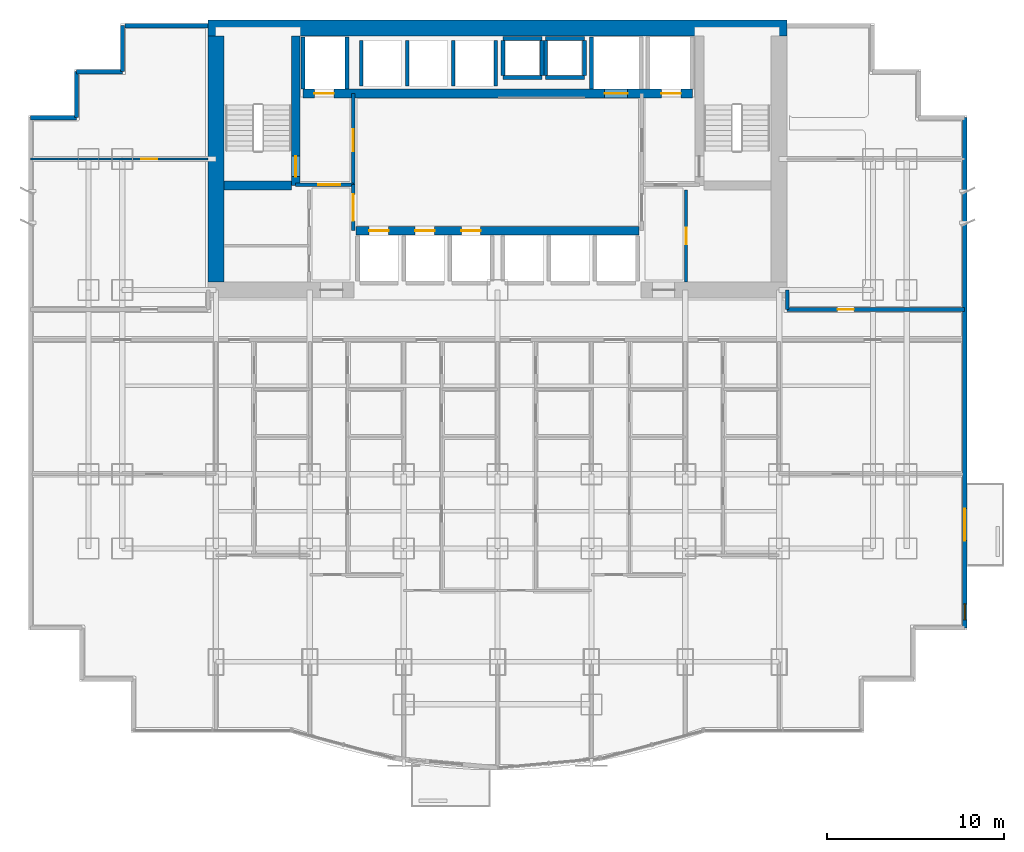
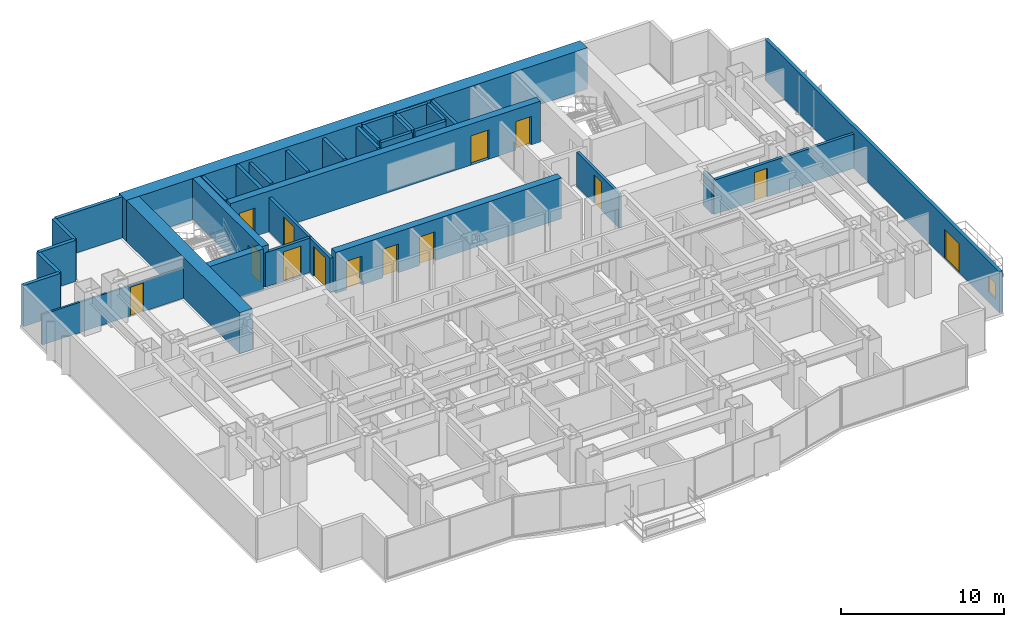
# One storey, part 7 of 10: 34 walls, 14 doors, 1 window, 15 openings.
"""IFC4 building model written with IfcOpenShell, lengths in metres."""

from ifc_helpers import new_model, si_unit, direction, frame, frame_2d, origin, place, context, subcontext, project, spatial, rectangle, extrude, material, layer, layer_set, type_object, element, fill, save


model = new_model("IFC4")

# Units and contexts
model_context = context("Model", 3, precision=1e-05, world=origin(), true_north=direction((0.0, 1.0)))
body_context = subcontext(model_context, "Body", "Model", "MODEL_VIEW")
ifc_project = project(units=[si_unit("LENGTHUNIT", "METRE"), si_unit("AREAUNIT", "SQUARE_METRE"), si_unit("VOLUMEUNIT", "CUBIC_METRE"), si_unit("PLANEANGLEUNIT", "RADIAN"), si_unit("MASSUNIT", "GRAM", prefix="KILO")], contexts=[model_context])

# Site, building, storey
site_placement = place(None, origin())
site = spatial("IfcSite", under=ifc_project, at=site_placement, CompositionType="ELEMENT")
building_placement = place(site_placement, origin())
building = spatial("IfcBuilding", under=site, at=building_placement, Name="Qianlan Lanfeng Residences", CompositionType="ELEMENT")
storey_placement = place(building_placement, frame((0.0, 0.0, 30.800048828125)))
storey = spatial("IfcBuildingStorey", under=building, at=storey_placement, Name="L07", CompositionType="ELEMENT", Elevation=30.800048828125)

# Wall, opening, door
ifc_material_1 = material(Name="Concrete C70", Category="concrete")
ifc_layer_1 = layer(ifc_material_1, 0.5)
ifc_layer_set_1 = layer_set([ifc_layer_1], Name="Concrete C70")
wall_type_1 = type_object("IfcWallType", Name="CW-RC-500", PredefinedType="SHEAR", material=ifc_layer_set_1)
wall_1_placement = place(storey_placement, frame((15.10009765625, 31.10009765625, 0.0), z_axis=(0.0, 0.0, 1.0), x_axis=(0.0, 1.0, 0.0)))
wall_1 = element("IfcWall", 1, at=wall_1_placement, inside=storey, type_object=wall_type_1, Name="L07 Core Shear Wall ST1E", PredefinedType="SHEAR", context=body_context, shape_type="SweptSolid", body=[
    extrude(rectangle(XDim=8.449951171875, YDim=0.5, at=frame_2d((4.22509765625, 0.0))), origin(), (0.0, 0.0, 1.0), 3.079833984375),
])
opening_1_placement = place(wall_1_placement, frame((0.510009765625, 0.0, 0.0)))
opening_1 = element("IfcOpeningElement", 2, at=opening_1_placement, cuts=wall_1, Name="Opening L07-D07", PredefinedType="OPENING", context=body_context, shape_type="SweptSolid", body=[
    extrude(rectangle(XDim=1.14990234375, YDim=2.199951171875, at=frame_2d((0.574951171875, 1.10009765625))), frame((0.0, 0.260009765625, 0.0), z_axis=(0.0, -1.0, 0.0), x_axis=(1.0, 0.0, 0.0)), (0.0, 0.0, 1.0), 0.52001953125),
])
ifc_material_2 = material(Name="Painted Galvanised Steel Fire Door", Category="steel")
door_type_1 = type_object("IfcDoorType", Name="DT-ST1", OperationType="NOTDEFINED", PredefinedType="DOOR", material=ifc_material_2)
door_1_placement = place(opening_1_placement, frame((1.14990234375, 0.0, 0.0), z_axis=(0.0, 0.0, 1.0), x_axis=(-1.0, 0.0, 0.0)))
door_1 = element("IfcDoor", 3, at=door_1_placement, inside=storey, type_object=door_type_1, Name="L07 Exit Stair ST-1 Door L07-D07 (DT-ST1)", OperationType="SINGLE_SWING_RIGHT", OverallHeight=2.199951171875, OverallWidth=1.14990234375, PredefinedType="DOOR", context=body_context, shape_type="SweptSolid", body=[
    extrude(rectangle(XDim=1.14990234375, YDim=2.199951171875, at=frame_2d((0.574951171875, 1.10009765625))), frame((0.0, 0.02490234375, 0.0), z_axis=(0.0, -1.0, 0.0), x_axis=(1.0, 0.0, 0.0)), (0.0, 0.0, 1.0), 0.050048828125),
])
fill(opening_1, door_1)

# Wall
wall_2_placement = place(storey_placement, frame((11.050048828125, 31.10009765625, 0.0), z_axis=(0.0, 0.0, 1.0), x_axis=(1.0, 0.0, 0.0)))
element("IfcWall", 4, at=wall_2_placement, inside=storey, type_object=wall_type_1, Name="L07 Core Shear Wall ST1S", PredefinedType="SHEAR", context=body_context, shape_type="SweptSolid", body=[
    extrude(rectangle(XDim=3.800048828125, YDim=0.5, at=frame_2d((1.89990234375, 0.0))), origin(), (0.0, 0.0, 1.0), 3.079833984375),
])

# Wall, openings, doors
wall_3_placement = place(storey_placement, frame((15.5, 36.300048828125, 0.0), z_axis=(0.0, 0.0, 1.0), x_axis=(1.0, 0.0, 0.0)))
wall_3 = element("IfcWall", 5, at=wall_3_placement, inside=storey, type_object=wall_type_1, Name="L07 Core Shear Wall LBN", PredefinedType="SHEAR", context=body_context, shape_type="SweptSolid", body=[
    extrude(rectangle(XDim=22.0, YDim=0.5, at=frame_2d((11.0, 0.0))), origin(), (0.0, 0.0, 1.0), 3.079833984375),
])
opening_2_placement = place(wall_3_placement, frame((0.64990234375, 0.0, 0.0)))
opening_2 = element("IfcOpeningElement", 6, at=opening_2_placement, cuts=wall_3, Name="Opening L07-LD-FFL-1", PredefinedType="OPENING", context=body_context, shape_type="SweptSolid", body=[
    extrude(rectangle(XDim=1.10009765625, YDim=2.14990234375, at=frame_2d((0.550048828125, 1.074951171875))), frame((0.0, 0.260009765625, 0.0), z_axis=(0.0, -1.0, 0.0), x_axis=(1.0, 0.0, 0.0)), (0.0, 0.0, 1.0), 0.52001953125),
])
opening_3_placement = place(wall_3_placement, frame((20.25, 0.0, 0.0)))
opening_3 = element("IfcOpeningElement", 7, at=opening_3_placement, cuts=wall_3, Name="Opening L07-LD-FFL-2", PredefinedType="OPENING", context=body_context, shape_type="SweptSolid", body=[
    extrude(rectangle(XDim=1.10009765625, YDim=2.14990234375, at=frame_2d((0.550048828125, 1.074951171875))), frame((0.0, 0.260009765625, 0.0), z_axis=(0.0, -1.0, 0.0), x_axis=(1.0, 0.0, 0.0)), (0.0, 0.0, 1.0), 0.52001953125),
])
opening_4_placement = place(wall_3_placement, frame((17.050048828125, 0.0, 0.0)))
opening_4 = element("IfcOpeningElement", 8, at=opening_4_placement, cuts=wall_3, Name="Opening L07-LD-SVL-1", PredefinedType="OPENING", context=body_context, shape_type="SweptSolid", body=[
    extrude(rectangle(XDim=1.300048828125, YDim=2.199951171875, at=frame_2d((0.64990234375, 1.10009765625))), frame((0.0, 0.260009765625, 0.0), z_axis=(0.0, -1.0, 0.0), x_axis=(1.0, 0.0, 0.0)), (0.0, 0.0, 1.0), 0.52001953125),
])
ifc_material_3 = material(Name="Brushed Stainless Steel Sliding Lift Door", Category="steel")
door_type_2 = type_object("IfcDoorType", Name="LD-01", OperationType="NOTDEFINED", PredefinedType="DOOR", material=ifc_material_3)
door_2_placement = place(opening_2_placement, frame((1.10009765625, 0.0, 0.0), z_axis=(0.0, 0.0, 1.0), x_axis=(-1.0, 0.0, 0.0)))
door_2 = element("IfcDoor", 9, at=door_2_placement, inside=storey, type_object=door_type_2, Name="L07 Elevator FFL-1 Sliding Landing Door", OperationType="DOUBLE_DOOR_SLIDING", OverallHeight=2.14990234375, OverallWidth=1.10009765625, PredefinedType="DOOR", context=body_context, shape_type="SweptSolid", body=[
    extrude(rectangle(XDim=1.10009765625, YDim=2.14990234375, at=frame_2d((0.550048828125, 1.074951171875))), frame((0.0, 0.02490234375, 0.0), z_axis=(0.0, -1.0, 0.0), x_axis=(1.0, 0.0, 0.0)), (0.0, 0.0, 1.0), 0.050048828125),
])
fill(opening_2, door_2)
door_3_placement = place(opening_3_placement, frame((1.10009765625, 0.0, 0.0), z_axis=(0.0, 0.0, 1.0), x_axis=(-1.0, 0.0, 0.0)))
door_3 = element("IfcDoor", 10, at=door_3_placement, inside=storey, type_object=door_type_2, Name="L07 Elevator FFL-2 Sliding Landing Door", OperationType="DOUBLE_DOOR_SLIDING", OverallHeight=2.14990234375, OverallWidth=1.10009765625, PredefinedType="DOOR", context=body_context, shape_type="SweptSolid", body=[
    extrude(rectangle(XDim=1.10009765625, YDim=2.14990234375, at=frame_2d((0.550048828125, 1.074951171875))), frame((0.0, 0.02490234375, 0.0), z_axis=(0.0, -1.0, 0.0), x_axis=(1.0, 0.0, 0.0)), (0.0, 0.0, 1.0), 0.050048828125),
])
fill(opening_3, door_3)
door_type_3 = type_object("IfcDoorType", Name="LD-02", OperationType="NOTDEFINED", PredefinedType="DOOR", material=ifc_material_3)
door_4_placement = place(opening_4_placement, frame((1.300048828125, 0.0, 0.0), z_axis=(0.0, 0.0, 1.0), x_axis=(-1.0, 0.0, 0.0)))
door_4 = element("IfcDoor", 11, at=door_4_placement, inside=storey, type_object=door_type_3, Name="L07 Elevator SVL-1 Sliding Landing Door", OperationType="DOUBLE_DOOR_SLIDING", OverallHeight=2.199951171875, OverallWidth=1.300048828125, PredefinedType="DOOR", context=body_context, shape_type="SweptSolid", body=[
    extrude(rectangle(XDim=1.300048828125, YDim=2.199951171875, at=frame_2d((0.64990234375, 1.10009765625))), frame((0.0, 0.02490234375, 0.0), z_axis=(0.0, -1.0, 0.0), x_axis=(1.0, 0.0, 0.0)), (0.0, 0.0, 1.0), 0.050048828125),
])
fill(opening_4, door_4)

wall_4_placement = place(storey_placement, frame((18.5, 28.550048828125, 0.0), z_axis=(0.0, 0.0, 1.0), x_axis=(1.0, 0.0, 0.0)))
wall_4 = element("IfcWall", 12, at=wall_4_placement, inside=storey, type_object=wall_type_1, Name="L07 Core Shear Wall LBS", PredefinedType="SHEAR", context=body_context, shape_type="SweptSolid", body=[
    extrude(rectangle(XDim=16.0, YDim=0.5, at=frame_2d((8.0, 0.0))), origin(), (0.0, 0.0, 1.0), 3.079833984375),
])
opening_5_placement = place(wall_4_placement, frame((0.75, 0.0, 0.0)))
opening_5 = element("IfcOpeningElement", 13, at=opening_5_placement, cuts=wall_4, Name="Opening L07-LD-PL-L1", PredefinedType="OPENING", context=body_context, shape_type="SweptSolid", body=[
    extrude(rectangle(XDim=1.10009765625, YDim=2.14990234375, at=frame_2d((0.550048828125, 1.074951171875))), frame((0.0, 0.260009765625, 0.0), z_axis=(0.0, -1.0, 0.0), x_axis=(1.0, 0.0, 0.0)), (0.0, 0.0, 1.0), 0.52001953125),
])
opening_6_placement = place(wall_4_placement, frame((3.35009765625, 0.0, 0.0)))
opening_6 = element("IfcOpeningElement", 14, at=opening_6_placement, cuts=wall_4, Name="Opening L07-LD-PL-L2", PredefinedType="OPENING", context=body_context, shape_type="SweptSolid", body=[
    extrude(rectangle(XDim=1.10009765625, YDim=2.14990234375, at=frame_2d((0.550048828125, 1.074951171875))), frame((0.0, 0.260009765625, 0.0), z_axis=(0.0, -1.0, 0.0), x_axis=(1.0, 0.0, 0.0)), (0.0, 0.0, 1.0), 0.52001953125),
])
opening_7_placement = place(wall_4_placement, frame((5.949951171875, 0.0, 0.0)))
opening_7 = element("IfcOpeningElement", 15, at=opening_7_placement, cuts=wall_4, Name="Opening L07-LD-PL-L3", PredefinedType="OPENING", context=body_context, shape_type="SweptSolid", body=[
    extrude(rectangle(XDim=1.10009765625, YDim=2.14990234375, at=frame_2d((0.550048828125, 1.074951171875))), frame((0.0, 0.260009765625, 0.0), z_axis=(0.0, -1.0, 0.0), x_axis=(1.0, 0.0, 0.0)), (0.0, 0.0, 1.0), 0.52001953125),
])
door_5_placement = place(opening_5_placement, origin())
door_5 = element("IfcDoor", 16, at=door_5_placement, inside=storey, type_object=door_type_2, Name="L07 Elevator PL-L1 Sliding Landing Door", OperationType="DOUBLE_DOOR_SLIDING", OverallHeight=2.14990234375, OverallWidth=1.10009765625, PredefinedType="DOOR", context=body_context, shape_type="SweptSolid", body=[
    extrude(rectangle(XDim=1.10009765625, YDim=2.14990234375, at=frame_2d((0.550048828125, 1.074951171875))), frame((0.0, 0.02490234375, 0.0), z_axis=(0.0, -1.0, 0.0), x_axis=(1.0, 0.0, 0.0)), (0.0, 0.0, 1.0), 0.050048828125),
])
fill(opening_5, door_5)
door_6_placement = place(opening_6_placement, origin())
door_6 = element("IfcDoor", 17, at=door_6_placement, inside=storey, type_object=door_type_2, Name="L07 Elevator PL-L2 Sliding Landing Door", OperationType="DOUBLE_DOOR_SLIDING", OverallHeight=2.14990234375, OverallWidth=1.10009765625, PredefinedType="DOOR", context=body_context, shape_type="SweptSolid", body=[
    extrude(rectangle(XDim=1.10009765625, YDim=2.14990234375, at=frame_2d((0.550048828125, 1.074951171875))), frame((0.0, 0.02490234375, 0.0), z_axis=(0.0, -1.0, 0.0), x_axis=(1.0, 0.0, 0.0)), (0.0, 0.0, 1.0), 0.050048828125),
])
fill(opening_6, door_6)
door_7_placement = place(opening_7_placement, origin())
door_7 = element("IfcDoor", 18, at=door_7_placement, inside=storey, type_object=door_type_2, Name="L07 Elevator PL-L3 Sliding Landing Door", OperationType="DOUBLE_DOOR_SLIDING", OverallHeight=2.14990234375, OverallWidth=1.10009765625, PredefinedType="DOOR", context=body_context, shape_type="SweptSolid", body=[
    extrude(rectangle(XDim=1.10009765625, YDim=2.14990234375, at=frame_2d((0.550048828125, 1.074951171875))), frame((0.0, 0.02490234375, 0.0), z_axis=(0.0, -1.0, 0.0), x_axis=(1.0, 0.0, 0.0)), (0.0, 0.0, 1.0), 0.050048828125),
])
fill(opening_7, door_7)

# Walls
ifc_layer_2 = layer(ifc_material_1, 0.89990234375)
ifc_layer_set_2 = layer_set([ifc_layer_2], Name="Concrete C70")
wall_type_2 = type_object("IfcWallType", Name="CW-RC-900", PredefinedType="SHEAR", material=ifc_layer_set_2)
wall_5_placement = place(storey_placement, frame((10.14990234375, 40.0, 0.0), z_axis=(0.0, 0.0, 1.0), x_axis=(1.0, 0.0, 0.0)))
element("IfcWall", 19, at=wall_5_placement, inside=storey, type_object=wall_type_2, Name="L07 Core Shear Wall N", PredefinedType="SHEAR", context=body_context, shape_type="SweptSolid", body=[
    extrude(rectangle(XDim=32.7001953125, YDim=0.89990234375, at=frame_2d((16.35009765625, 0.0))), origin(), (0.0, 0.0, 1.0), 3.079833984375),
])
wall_6_placement = place(storey_placement, frame((10.60009765625, 25.64990234375, 0.0), z_axis=(0.0, 0.0, 1.0), x_axis=(0.0, 1.0, 0.0)))
element("IfcWall", 20, at=wall_6_placement, inside=storey, type_object=wall_type_2, Name="L07 Core Shear Wall W", PredefinedType="SHEAR", context=body_context, shape_type="SweptSolid", body=[
    extrude(rectangle(XDim=13.900146484375, YDim=0.89990234375, at=frame_2d((6.9501953125, 0.0))), origin(), (0.0, 0.0, 1.0), 3.079833984375),
])

# Wall, openings, door, window
ifc_material_4 = material(Name="Concrete C42", Category="concrete")
ifc_layer_3 = layer(ifc_material_4, 0.239990234375)
ifc_layer_set_3 = layer_set([ifc_layer_3], Name="Concrete C42")
wall_type_3 = type_object("IfcWallType", Name="EW-240", PredefinedType="SOLIDWALL", material=ifc_layer_set_3)
wall_7_placement = place(storey_placement, frame((52.8798828125, 6.1201171875, 0.0), z_axis=(0.0, 0.0, 1.0), x_axis=(0.0, 1.0, 0.0)))
wall_7 = element("IfcWall", 21, at=wall_7_placement, inside=storey, type_object=wall_type_3, Name="L07 Terrace/Balcony Access Exterior Wall 10", PredefinedType="SOLIDWALL", context=body_context, shape_type="SweptSolid", body=[
    extrude(rectangle(XDim=28.809814453125, YDim=0.239990234375, at=frame_2d((14.40478515625, 0.0))), origin(), (0.0, 0.0, 1.0), 3.079833984375),
])
opening_8_placement = place(wall_7_placement, frame((4.929931640625, 0.0, 0.0)))
opening_8 = element("IfcOpeningElement", 22, at=opening_8_placement, cuts=wall_7, Name="Opening L07-D-EB-S", PredefinedType="OPENING", context=body_context, shape_type="SweptSolid", body=[
    extrude(rectangle(XDim=1.800048828125, YDim=2.199951171875, at=frame_2d((0.89990234375, 1.10009765625))), frame((0.0, 0.1298828125, 0.0), z_axis=(0.0, -1.0, 0.0), x_axis=(1.0, 0.0, 0.0)), (0.0, 0.0, 1.0), 0.260009765625),
])
opening_9_placement = place(wall_7_placement, frame((0.449951171875, 0.0, 0.75)))
opening_9 = element("IfcOpeningElement", 23, at=opening_9_placement, cuts=wall_7, Name="Opening W-04", PredefinedType="OPENING", context=body_context, shape_type="SweptSolid", body=[
    extrude(rectangle(XDim=0.89990234375, YDim=1.199951171875, at=frame_2d((0.449951171875, 0.60009765625))), frame((0.0, 0.1298828125, 0.0), z_axis=(0.0, -1.0, 0.0), x_axis=(1.0, 0.0, 0.0)), (0.0, 0.0, 1.0), 0.260009765625),
])
ifc_material_5 = material(Name="Anodised Bronze Aluminium Framed Glass", Category="aluminium")
door_type_4 = type_object("IfcDoorType", Name="DT-BAL1", OperationType="NOTDEFINED", PredefinedType="DOOR", material=ifc_material_5)
door_8_placement = place(opening_8_placement, frame((1.800048828125, 0.0, 0.0), z_axis=(0.0, 0.0, 1.0), x_axis=(-1.0, 0.0, 0.0)))
door_8 = element("IfcDoor", 24, at=door_8_placement, inside=storey, type_object=door_type_4, Name="L07 Exterior Access Door EB-S", OperationType="DOUBLE_DOOR_SLIDING", OverallHeight=2.199951171875, OverallWidth=1.800048828125, PredefinedType="DOOR", context=body_context, shape_type="SweptSolid", body=[
    extrude(rectangle(XDim=1.800048828125, YDim=2.199951171875, at=frame_2d((0.89990234375, 1.10009765625))), frame((0.0, 0.02490234375, 0.0), z_axis=(0.0, -1.0, 0.0), x_axis=(1.0, 0.0, 0.0)), (0.0, 0.0, 1.0), 0.050048828125),
])
fill(opening_8, door_8)
ifc_material_6 = material(Name="Anodised Bronze Aluminium Framed Double Glazing", Category="aluminium")
window_type = type_object("IfcWindowType", Name="W-04", PartitioningType="SINGLE_PANEL", PredefinedType="WINDOW", material=ifc_material_6)
window_placement = place(opening_9_placement, origin())
window = element("IfcWindow", 25, at=window_placement, inside=storey, type_object=window_type, Name="L07 Exterior Window W-04", OverallHeight=1.199951171875, OverallWidth=0.89990234375, PartitioningType="SINGLE_PANEL", PredefinedType="WINDOW", context=body_context, shape_type="SweptSolid", body=[
    extrude(rectangle(XDim=0.89990234375, YDim=1.199951171875, at=frame_2d((0.449951171875, 0.60009765625))), frame((0.0, 0.030029296875, 0.0), z_axis=(0.0, -1.0, 0.0), x_axis=(1.0, 0.0, 0.0)), (0.0, 0.0, 1.0), 0.06005859375),
])
fill(opening_9, window)

# Walls
wall_8_placement = place(storey_placement, frame((10.14990234375, 40.1298828125, 0.0), z_axis=(0.0, 0.0, 1.0), x_axis=(-1.0, 0.0, 0.0)))
element("IfcWall", 26, at=wall_8_placement, inside=storey, type_object=wall_type_3, Name="L07 North Wing Exterior Wall W", PredefinedType="SOLIDWALL", context=body_context, shape_type="SweptSolid", body=[
    extrude(rectangle(XDim=4.699951171875, YDim=0.239990234375, at=frame_2d((2.35009765625, 0.0))), origin(), (0.0, 0.0, 1.0), 3.079833984375),
])
wall_9_placement = place(storey_placement, frame((5.320068359375, 40.1298828125, 0.0), z_axis=(0.0, 0.0, 1.0), x_axis=(0.0, -1.0, 0.0)))
element("IfcWall", 27, at=wall_9_placement, inside=storey, type_object=wall_type_3, Name="L07 Exterior Facade Spandrel Wall 17", PredefinedType="SOLIDWALL", context=body_context, shape_type="SweptSolid", body=[
    extrude(rectangle(XDim=2.599853515625, YDim=0.239990234375, at=frame_2d((1.2998046875, 0.0))), origin(), (0.0, 0.0, 1.0), 3.079833984375),
])
for number, where, z_axis, x_axis, name in (
    (28, (5.320068359375, 37.530029296875, 0.0), (0.0, 0.0, 1.0), (-1.0, 0.0, 0.0), "L07 Exterior Facade Spandrel Wall 18"),
    (29, (2.719970703125, 37.530029296875, 0.0), (0.0, 0.0, 1.0), (0.0, -1.0, 0.0), "L07 Exterior Facade Spandrel Wall 19"),
):
    element("IfcWall", number, at=place(storey_placement, frame(where, z_axis=z_axis, x_axis=x_axis)), inside=storey, type_object=wall_type_3, Name=name, PredefinedType="SOLIDWALL", context=body_context, shape_type="SweptSolid", body=[
        extrude(rectangle(XDim=2.60009765625, YDim=0.239990234375, at=frame_2d((1.300048828125, 0.0))), origin(), (0.0, 0.0, 1.0), 3.079833984375),
    ])
wall_10_placement = place(storey_placement, frame((2.719970703125, 34.929931640625, 0.0), z_axis=(0.0, 0.0, 1.0), x_axis=(-1.0, 0.0, 0.0)))
element("IfcWall", 30, at=wall_10_placement, inside=storey, type_object=wall_type_3, Name="L07 Exterior Facade Spandrel Wall 20", PredefinedType="SOLIDWALL", context=body_context, shape_type="SweptSolid", body=[
    extrude(rectangle(XDim=2.599853515625, YDim=0.239990234375, at=frame_2d((1.2998046875, 0.0))), origin(), (0.0, 0.0, 1.0), 3.079833984375),
])

# Wall, opening, door
ifc_material_7 = material(Name="Moisture-Resistant Gypsum Partition 135 mm")
ifc_layer_4 = layer(ifc_material_7, 0.135009765625)
ifc_layer_set_4 = layer_set([ifc_layer_4], Name="Moisture-Resistant Gypsum Partition 135 mm")
wall_type_4 = type_object("IfcWallType", Name="PW-135", PredefinedType="PARTITIONING", material=ifc_layer_set_4)
wall_11_placement = place(storey_placement, frame((0.1201171875, 32.60009765625, 0.0), z_axis=(0.0, 0.0, 1.0), x_axis=(1.0, 0.0, 0.0)))
wall_11 = element("IfcWall", 31, at=wall_11_placement, inside=storey, type_object=wall_type_4, Name="L07 WW North Wing Wall", PredefinedType="PARTITIONING", context=body_context, shape_type="SweptSolid", body=[
    extrude(rectangle(XDim=10.02978515625, YDim=0.135009765625, at=frame_2d((5.014892578125, 0.0))), origin(), (0.0, 0.0, 1.0), 2.27490234375),
])
opening_10_placement = place(wall_11_placement, frame((6.2548828125, 0.0, 0.0)))
opening_10 = element("IfcOpeningElement", 32, at=opening_10_placement, cuts=wall_11, Name="Opening L07-D48", PredefinedType="OPENING", context=body_context, shape_type="SweptSolid", body=[
    extrude(rectangle(XDim=0.919921875, YDim=2.14990234375, at=frame_2d((0.4599609375, 1.074951171875))), frame((0.0, 0.07763671875, 0.0), z_axis=(0.0, -1.0, 0.0), x_axis=(1.0, 0.0, 0.0)), (0.0, 0.0, 1.0), 0.155029296875),
])
ifc_material_8 = material(Name="Glazed Timber Kitchen/Study Door", Category="wood")
door_type_5 = type_object("IfcDoorType", Name="DT-INT", OperationType="NOTDEFINED", PredefinedType="DOOR", material=ifc_material_8)
door_9_placement = place(opening_10_placement, origin())
door_9 = element("IfcDoor", 33, at=door_9_placement, inside=storey, type_object=door_type_5, Name="L07 WW Inner Salon Door L07-D48 (DT-INT)", OperationType="SINGLE_SWING_RIGHT", OverallHeight=2.14990234375, OverallWidth=0.919921875, PredefinedType="DOOR", context=body_context, shape_type="SweptSolid", body=[
    extrude(rectangle(XDim=0.919921875, YDim=2.14990234375, at=frame_2d((0.4599609375, 1.074951171875))), frame((0.0, 0.02490234375, 0.0), z_axis=(0.0, -1.0, 0.0), x_axis=(1.0, 0.0, 0.0)), (0.0, 0.0, 1.0), 0.050048828125),
])
fill(opening_10, door_9)

ifc_material_9 = material(Name="Double-Layer Acoustic Gypsum Stud Wall 180 mm")
ifc_layer_5 = layer(ifc_material_9, 0.179931640625)
ifc_layer_set_5 = layer_set([ifc_layer_5], Name="Double-Layer Acoustic Gypsum Stud Wall 180 mm")
wall_type_5 = type_object("IfcWallType", Name="PW-180", PredefinedType="PARTITIONING", material=ifc_layer_set_5)
wall_12_placement = place(storey_placement, frame((37.14990234375, 25.64990234375, 0.0), z_axis=(0.0, 0.0, 1.0), x_axis=(0.0, 1.0, 0.0)))
wall_12 = element("IfcWall", 34, at=wall_12_placement, inside=storey, type_object=wall_type_5, Name="L07 Core East Service Room Wall", PredefinedType="PARTITIONING", context=body_context, shape_type="SweptSolid", body=[
    extrude(rectangle(XDim=5.2001953125, YDim=0.179931640625, at=frame_2d((2.60009765625, 0.0))), origin(), (0.0, 0.0, 1.0), 2.570068359375),
])
opening_11_placement = place(wall_12_placement, frame((2.139892578125, 0.0, 0.0)))
opening_11 = element("IfcOpeningElement", 35, at=opening_11_placement, cuts=wall_12, Name="Opening L07-D11", PredefinedType="OPENING", context=body_context, shape_type="SweptSolid", body=[
    extrude(rectangle(XDim=0.919921875, YDim=2.14990234375, at=frame_2d((0.4599609375, 1.074951171875))), frame((0.0, 0.10009765625, 0.0), z_axis=(0.0, -1.0, 0.0), x_axis=(1.0, 0.0, 0.0)), (0.0, 0.0, 1.0), 0.199951171875),
])
door_10_placement = place(opening_11_placement, origin())
door_10 = element("IfcDoor", 36, at=door_10_placement, inside=storey, type_object=door_type_5, Name="L07 Mail Parcel Closet Door L07-D11 (DT-INT)", OperationType="SINGLE_SWING_RIGHT", OverallHeight=2.14990234375, OverallWidth=0.919921875, PredefinedType="DOOR", context=body_context, shape_type="SweptSolid", body=[
    extrude(rectangle(XDim=0.919921875, YDim=2.14990234375, at=frame_2d((0.4599609375, 1.074951171875))), frame((0.0, 0.02490234375, 0.0), z_axis=(0.0, -1.0, 0.0), x_axis=(1.0, 0.0, 0.0)), (0.0, 0.0, 1.0), 0.050048828125),
])
fill(opening_11, door_10)

ifc_material_10 = material(Name="Autoclaved Aerated Concrete Blockwork 200 mm", Category="masonry")
ifc_layer_6 = layer(ifc_material_10, 0.199951171875)
ifc_layer_set_6 = layer_set([ifc_layer_6], Name="Autoclaved Aerated Concrete Blockwork 200 mm")
wall_type_6 = type_object("IfcWallType", Name="PW-200", PredefinedType="PARTITIONING", material=ifc_layer_set_6)
wall_13_placement = place(storey_placement, frame((15.10009765625, 31.14990234375, 0.0), z_axis=(0.0, 0.0, 1.0), x_axis=(1.0, 0.0, 0.0)))
wall_13 = element("IfcWall", 37, at=wall_13_placement, inside=storey, type_object=wall_type_6, Name="L07 Firefighting Lobby 1 South Wall", PredefinedType="PARTITIONING", context=body_context, shape_type="SweptSolid", body=[
    extrude(rectangle(XDim=3.25, YDim=0.199951171875, at=frame_2d((1.625, 0.0))), origin(), (0.0, 0.0, 1.0), 2.570068359375),
])
opening_12_placement = place(wall_13_placement, frame((1.27490234375, 0.0, 0.0)))
opening_12 = element("IfcOpeningElement", 38, at=opening_12_placement, cuts=wall_13, Name="Opening L07-D03", PredefinedType="OPENING", context=body_context, shape_type="SweptSolid", body=[
    extrude(rectangle(XDim=1.25, YDim=2.199951171875, at=frame_2d((0.625, 1.10009765625))), frame((0.0, 0.10986328125, 0.0), z_axis=(0.0, -1.0, 0.0), x_axis=(1.0, 0.0, 0.0)), (0.0, 0.0, 1.0), 0.219970703125),
])
door_type_6 = type_object("IfcDoorType", Name="DT-FFL", OperationType="NOTDEFINED", PredefinedType="DOOR", material=ifc_material_2)
door_11_placement = place(opening_12_placement, origin())
door_11 = element("IfcDoor", 39, at=door_11_placement, inside=storey, type_object=door_type_6, Name="L07 Firefighting Lobby 1 Entry Door L07-D03 (DT-FFL)", OperationType="SINGLE_SWING_LEFT", OverallHeight=2.199951171875, OverallWidth=1.25, PredefinedType="DOOR", context=body_context, shape_type="SweptSolid", body=[
    extrude(rectangle(XDim=1.25, YDim=2.199951171875, at=frame_2d((0.625, 1.10009765625))), frame((0.0, 0.02490234375, 0.0), z_axis=(0.0, -1.0, 0.0), x_axis=(1.0, 0.0, 0.0)), (0.0, 0.0, 1.0), 0.050048828125),
])
fill(opening_12, door_11)

wall_14_placement = place(storey_placement, frame((18.35009765625, 31.14990234375, 0.0), z_axis=(0.0, 0.0, 1.0), x_axis=(0.0, 1.0, 0.0)))
wall_14 = element("IfcWall", 40, at=wall_14_placement, inside=storey, type_object=wall_type_6, Name="L07 Firefighting Lobby 1 East Wall", PredefinedType="PARTITIONING", context=body_context, shape_type="SweptSolid", body=[
    extrude(rectangle(XDim=5.150146484375, YDim=0.199951171875, at=frame_2d((2.5751953125, 0.0))), origin(), (0.0, 0.0, 1.0), 2.570068359375),
])
opening_13_placement = place(wall_14_placement, frame((1.875, 0.0, 0.0)))
opening_13 = element("IfcOpeningElement", 41, at=opening_13_placement, cuts=wall_14, Name="Opening L07-D04", PredefinedType="OPENING", context=body_context, shape_type="SweptSolid", body=[
    extrude(rectangle(XDim=1.25, YDim=2.199951171875, at=frame_2d((0.625, 1.10009765625))), frame((0.0, 0.10986328125, 0.0), z_axis=(0.0, -1.0, 0.0), x_axis=(1.0, 0.0, 0.0)), (0.0, 0.0, 1.0), 0.219970703125),
])
door_12_placement = place(opening_13_placement, origin())
door_12 = element("IfcDoor", 42, at=door_12_placement, inside=storey, type_object=door_type_6, Name="L07 Firefighting Lobby 1 Lift Lobby Door L07-D04 (DT-FFL)", OperationType="SINGLE_SWING_LEFT", OverallHeight=2.199951171875, OverallWidth=1.25, PredefinedType="DOOR", context=body_context, shape_type="SweptSolid", body=[
    extrude(rectangle(XDim=1.25, YDim=2.199951171875, at=frame_2d((0.625, 1.10009765625))), frame((0.0, 0.02490234375, 0.0), z_axis=(0.0, -1.0, 0.0), x_axis=(1.0, 0.0, 0.0)), (0.0, 0.0, 1.0), 0.050048828125),
])
fill(opening_13, door_12)

wall_15_placement = place(storey_placement, frame((18.35009765625, 28.550048828125, 0.0), z_axis=(0.0, 0.0, 1.0), x_axis=(0.0, 1.0, 0.0)))
wall_15 = element("IfcWall", 43, at=wall_15_placement, inside=storey, type_object=wall_type_6, Name="L07 Lift Lobby West Connector Wall", PredefinedType="PARTITIONING", context=body_context, shape_type="SweptSolid", body=[
    extrude(rectangle(XDim=2.599853515625, YDim=0.199951171875, at=frame_2d((1.2998046875, 0.0))), origin(), (0.0, 0.0, 1.0), 2.570068359375),
])
opening_14_placement = place(wall_15_placement, frame((0.550048828125, 0.0, 0.0)))
opening_14 = element("IfcOpeningElement", 44, at=opening_14_placement, cuts=wall_15, Name="Opening L07-D12", PredefinedType="OPENING", context=body_context, shape_type="SweptSolid", body=[
    extrude(rectangle(XDim=1.5, YDim=2.25, at=frame_2d((0.75, 1.125))), frame((0.0, 0.10986328125, 0.0), z_axis=(0.0, -1.0, 0.0), x_axis=(1.0, 0.0, 0.0)), (0.0, 0.0, 1.0), 0.219970703125),
])
ifc_material_11 = material(Name="Timber Veneer Acoustic Fire Door", Category="wood")
door_type_7 = type_object("IfcDoorType", Name="DT-COR1", OperationType="NOTDEFINED", PredefinedType="DOOR", material=ifc_material_11)
door_13_placement = place(opening_14_placement, origin())
door_13 = element("IfcDoor", 45, at=door_13_placement, inside=storey, type_object=door_type_7, Name="L07 Lift Lobby West Portal Door L07-D12 (DT-COR1)", OperationType="DOUBLE_DOOR_SINGLE_SWING", OverallHeight=2.25, OverallWidth=1.5, PredefinedType="DOOR", context=body_context, shape_type="SweptSolid", body=[
    extrude(rectangle(XDim=1.5, YDim=2.25, at=frame_2d((0.75, 1.125))), frame((0.0, 0.02490234375, 0.0), z_axis=(0.0, -1.0, 0.0), x_axis=(1.0, 0.0, 0.0)), (0.0, 0.0, 1.0), 0.050048828125),
])
fill(opening_14, door_13)

wall_16_placement = place(storey_placement, frame((42.85009765625, 24.10009765625, 0.0), z_axis=(0.0, 0.0, 1.0), x_axis=(1.0, 0.0, 0.0)))
wall_16 = element("IfcWall", 46, at=wall_16_placement, inside=storey, type_object=wall_type_6, Name="L07 Corridor NE Wall", PredefinedType="PARTITIONING", context=body_context, shape_type="SweptSolid", body=[
    extrude(rectangle(XDim=10.02978515625, YDim=0.199951171875, at=frame_2d((5.014892578125, 0.0))), origin(), (0.0, 0.0, 1.0), 2.570068359375),
])
opening_15_placement = place(wall_16_placement, frame((2.85498046875, 0.0, 0.0)))
opening_15 = element("IfcOpeningElement", 47, at=opening_15_placement, cuts=wall_16, Name="Opening L07-D51", PredefinedType="OPENING", context=body_context, shape_type="SweptSolid", body=[
    extrude(rectangle(XDim=0.919921875, YDim=2.14990234375, at=frame_2d((0.4599609375, 1.074951171875))), frame((0.0, 0.10986328125, 0.0), z_axis=(0.0, -1.0, 0.0), x_axis=(1.0, 0.0, 0.0)), (0.0, 0.0, 1.0), 0.219970703125),
])
door_14_placement = place(opening_15_placement, origin())
door_14 = element("IfcDoor", 48, at=door_14_placement, inside=storey, type_object=door_type_5, Name="L07 EW Amenity Salon Door L07-D51 (DT-INT)", OperationType="SINGLE_SWING_LEFT", OverallHeight=2.14990234375, OverallWidth=0.919921875, PredefinedType="DOOR", context=body_context, shape_type="SweptSolid", body=[
    extrude(rectangle(XDim=0.919921875, YDim=2.14990234375, at=frame_2d((0.4599609375, 1.074951171875))), frame((0.0, 0.02490234375, 0.0), z_axis=(0.0, -1.0, 0.0), x_axis=(1.0, 0.0, 0.0)), (0.0, 0.0, 1.0), 0.050048828125),
])
fill(opening_15, door_14)

# Walls
wall_17_placement = place(storey_placement, frame((42.85009765625, 24.10009765625, 0.0), z_axis=(0.0, 0.0, 1.0), x_axis=(0.0, 1.0, 0.0)))
element("IfcWall", 49, at=wall_17_placement, inside=storey, type_object=wall_type_6, Name="L07 NE Wing Core Return Wall", PredefinedType="PARTITIONING", context=body_context, shape_type="SweptSolid", body=[
    extrude(rectangle(XDim=1.099853515625, YDim=0.199951171875, at=frame_2d((0.5498046875, 0.0))), origin(), (0.0, 0.0, 1.0), 2.570068359375),
])
ifc_material_12 = material(Name="Concrete C49", Category="concrete")
ifc_layer_7 = layer(ifc_material_12, 0.219970703125)
ifc_layer_set_7 = layer_set([ifc_layer_7], Name="Concrete C49")
wall_type_7 = type_object("IfcWallType", Name="SHW-220", PredefinedType="SOLIDWALL", material=ifc_layer_set_7)
for number, where, z_axis, x_axis, name in (
    (50, (15.52001953125, 36.550048828125, 0.0), (0.0, 0.0, 1.0), (0.0, 1.0, 0.0), "L07 Lift FFL-1 Shaft Wall W"),
    (51, (18.0, 36.550048828125, 0.0), (0.0, 0.0, 1.0), (0.0, 1.0, 0.0), "L07 Lift FFL-1 Shaft Wall E"),
    (52, (31.800048828125, 36.550048828125, 0.0), (0.0, 0.0, 1.0), (0.0, 1.0, 0.0), "L07 Lift SVL-1 Shaft Wall W"),
):
    element("IfcWall", number, at=place(storey_placement, frame(where, z_axis=z_axis, x_axis=x_axis)), inside=storey, type_object=wall_type_7, Name=name, PredefinedType="SOLIDWALL", context=body_context, shape_type="SweptSolid", body=[
        extrude(rectangle(XDim=2.929931640625, YDim=0.219970703125, at=frame_2d((1.46484375, 0.0))), origin(), (0.0, 0.0, 1.0), 3.079833984375),
    ])
for number, where, z_axis, x_axis, name in (
    (53, (18.800048828125, 36.719970703125, 0.0), (0.0, 0.0, 1.0), (0.0, 1.0, 0.0), "L07 Lift PL-H1 Shaft Wall W"),
    (54, (21.39990234375, 36.719970703125, 0.0), (0.0, 0.0, 1.0), (0.0, 1.0, 0.0), "L07 Lift PL-H2 Shaft Wall W"),
    (55, (24.0, 36.719970703125, 0.0), (0.0, 0.0, 1.0), (0.0, 1.0, 0.0), "L07 Lift PL-H3 Shaft Wall W"),
    (56, (26.39990234375, 36.719970703125, 0.0), (0.0, 0.0, 1.0), (0.0, 1.0, 0.0), "L07 Lift PL-H3 Shaft Wall E"),
):
    element("IfcWall", number, at=place(storey_placement, frame(where, z_axis=z_axis, x_axis=x_axis)), inside=storey, type_object=wall_type_7, Name=name, PredefinedType="SOLIDWALL", context=body_context, shape_type="SweptSolid", body=[
        extrude(rectangle(XDim=2.56005859375, YDim=0.219970703125, at=frame_2d((1.280029296875, 0.0))), origin(), (0.0, 0.0, 1.0), 3.079833984375),
    ])
for number, where, z_axis, x_axis, name in (
    (57, (26.800048828125, 37.31005859375, 0.0), (0.0, 0.0, 1.0), (0.0, 1.0, 0.0), "L07 MEP Riser MEP-R1 Shaft Wall W"),
    (58, (29.0, 37.31005859375, 0.0), (0.0, 0.0, 1.0), (0.0, 1.0, 0.0), "L07 MEP Riser MEP-R1 Shaft Wall E"),
):
    element("IfcWall", number, at=place(storey_placement, frame(where, z_axis=z_axis, x_axis=x_axis)), inside=storey, type_object=wall_type_7, Name=name, PredefinedType="SOLIDWALL", context=body_context, shape_type="SweptSolid", body=[
        extrude(rectangle(XDim=1.97998046875, YDim=0.219970703125, at=frame_2d((0.989990234375, 0.0))), origin(), (0.0, 0.0, 1.0), 3.079833984375),
    ])
for number, where, z_axis, x_axis, name in (
    (59, (26.800048828125, 39.39990234375, 0.0), (0.0, 0.0, 1.0), (1.0, 0.0, 0.0), "L07 MEP Riser MEP-R1 Shaft Wall N"),
    (60, (26.800048828125, 37.199951171875, 0.0), (0.0, 0.0, 1.0), (1.0, 0.0, 0.0), "L07 MEP Riser MEP-R1 Shaft Wall S"),
):
    element("IfcWall", number, at=place(storey_placement, frame(where, z_axis=z_axis, x_axis=x_axis)), inside=storey, type_object=wall_type_7, Name=name, PredefinedType="SOLIDWALL", context=body_context, shape_type="SweptSolid", body=[
        extrude(rectangle(XDim=2.199951171875, YDim=0.219970703125, at=frame_2d((1.10009765625, 0.0))), origin(), (0.0, 0.0, 1.0), 3.079833984375),
    ])
for number, where, z_axis, x_axis, name in (
    (61, (29.199951171875, 37.31005859375, 0.0), (0.0, 0.0, 1.0), (0.0, 1.0, 0.0), "L07 MEP Riser MEP-R2 Shaft Wall W"),
    (62, (31.39990234375, 37.31005859375, 0.0), (0.0, 0.0, 1.0), (0.0, 1.0, 0.0), "L07 MEP Riser MEP-R2 Shaft Wall E"),
):
    element("IfcWall", number, at=place(storey_placement, frame(where, z_axis=z_axis, x_axis=x_axis)), inside=storey, type_object=wall_type_7, Name=name, PredefinedType="SOLIDWALL", context=body_context, shape_type="SweptSolid", body=[
        extrude(rectangle(XDim=1.97998046875, YDim=0.219970703125, at=frame_2d((0.989990234375, 0.0))), origin(), (0.0, 0.0, 1.0), 3.079833984375),
    ])
for number, where, z_axis, x_axis, name in (
    (63, (29.199951171875, 39.39990234375, 0.0), (0.0, 0.0, 1.0), (1.0, 0.0, 0.0), "L07 MEP Riser MEP-R2 Shaft Wall N"),
    (64, (29.199951171875, 37.199951171875, 0.0), (0.0, 0.0, 1.0), (1.0, 0.0, 0.0), "L07 MEP Riser MEP-R2 Shaft Wall S"),
):
    element("IfcWall", number, at=place(storey_placement, frame(where, z_axis=z_axis, x_axis=x_axis)), inside=storey, type_object=wall_type_7, Name=name, PredefinedType="SOLIDWALL", context=body_context, shape_type="SweptSolid", body=[
        extrude(rectangle(XDim=2.199951171875, YDim=0.219970703125, at=frame_2d((1.10009765625, 0.0))), origin(), (0.0, 0.0, 1.0), 3.079833984375),
    ])

save(model, "model.ifc")
